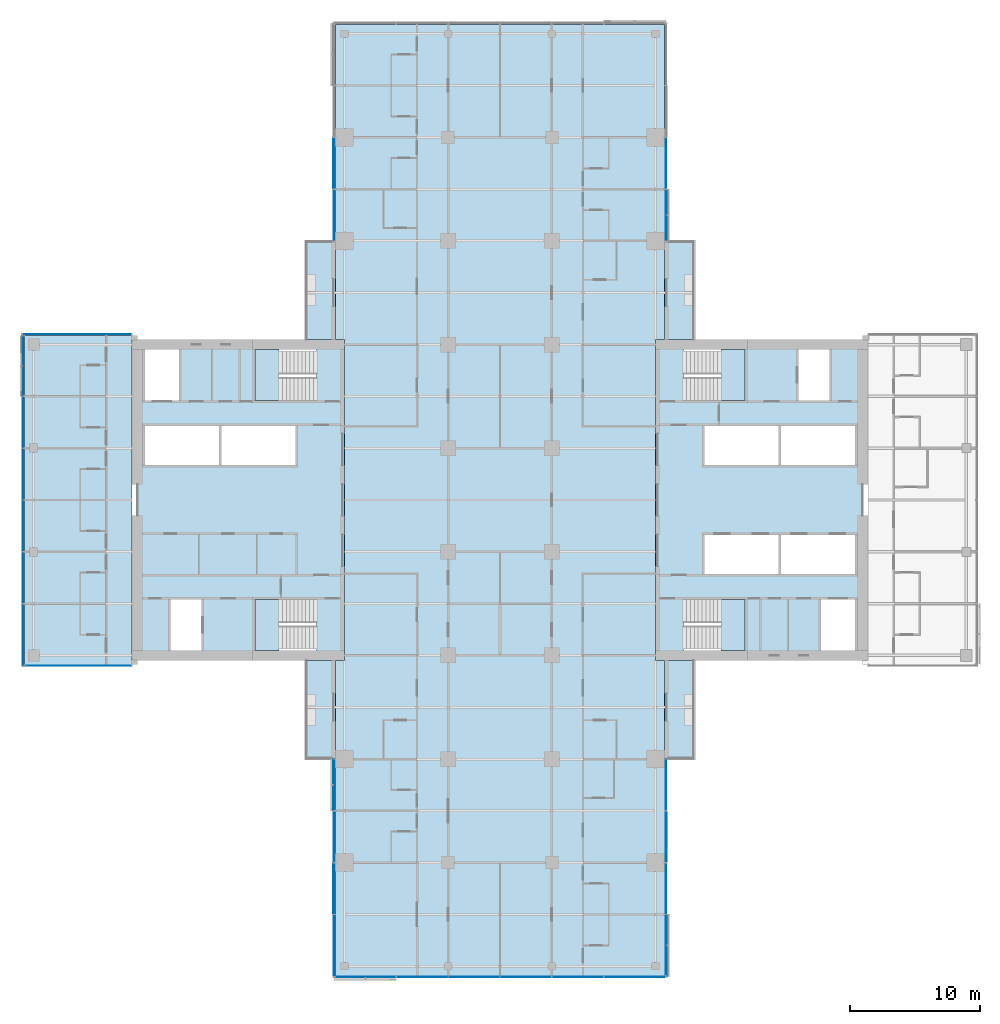
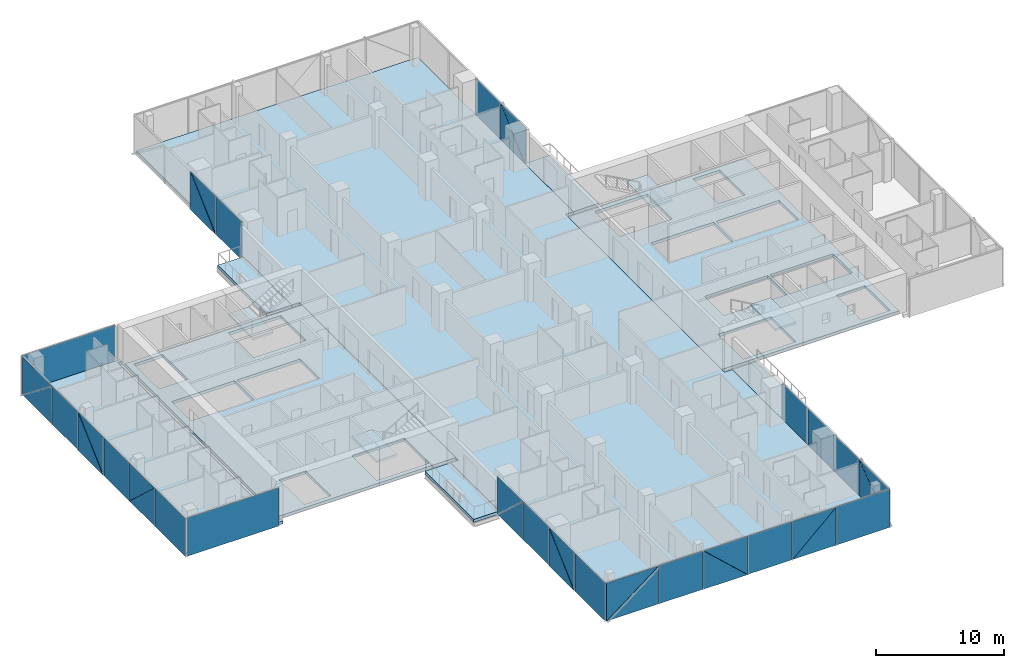
# One storey, part 13 of 27: 38 plates, 12 slabs, 12 elements without a shape of their own.
"""IFC4 building model written with IfcOpenShell, lengths in metres."""

from ifc_helpers import new_model, si_unit, direction, frame, origin, place, context, subcontext, project, spatial, polyline, outline, extrude, material, layer, layer_set, type_object, element, aggregate, save


model = new_model("IFC4")

# Units and contexts
model_context = context("Model", 3, precision=1e-05, world=origin(), true_north=direction((0.0, 1.0)))
body_context = subcontext(model_context, "Body", "Model", "MODEL_VIEW")
ifc_project = project(units=[si_unit("LENGTHUNIT", "METRE"), si_unit("AREAUNIT", "SQUARE_METRE"), si_unit("VOLUMEUNIT", "CUBIC_METRE"), si_unit("PLANEANGLEUNIT", "RADIAN"), si_unit("MASSUNIT", "GRAM", prefix="KILO")], contexts=[model_context])

# Site, building, storey
site_placement = place(None, origin())
site = spatial("IfcSite", under=ifc_project, at=site_placement, CompositionType="ELEMENT")
building_placement = place(site_placement, origin())
building = spatial("IfcBuilding", under=site, at=building_placement, Name="Crosswind Convention Tower", CompositionType="ELEMENT")
storey_placement = place(building_placement, frame((0.0, 0.0, 72.0)))
storey = spatial("IfcBuildingStorey", under=building, at=storey_placement, Name="L12", CompositionType="ELEMENT", Elevation=72.0)

# Slabs
ifc_material_1 = material(Name="Concrete C40/50", Category="concrete")
ifc_layer_1 = layer(ifc_material_1, 0.280029296875)
ifc_layer_set_1 = layer_set([ifc_layer_1], Name="Concrete C40/50")
slab_type_1 = type_object("IfcSlabType", Name="BALCONY SLAB 280", PredefinedType="USERDEFINED", material=ifc_layer_set_1)
slab_1_placement = place(storey_placement, frame((0.0, 0.0, -0.280029296875)))
element("IfcSlab", 1, at=slab_1_placement, inside=storey, type_object=slab_type_1, Name="BALCONY L12 N-E.1-1", ObjectType="BALCONY", PredefinedType="USERDEFINED", context=body_context, shape_type="SweptSolid", body=[
    extrude(outline(polyline([(137.699951171875, 112.39990234375), (137.699951171875, 120.0), (140.0, 120.0), (140.0, 112.39990234375), (137.699951171875, 112.39990234375)])), origin(), (0.0, 0.0, 1.0), 0.280029296875),
])
slab_2_placement = place(storey_placement, frame((0.0, 0.0, -0.280029296875)))
element("IfcSlab", 2, at=slab_2_placement, inside=storey, type_object=slab_type_1, Name="BALCONY L12 N-W.1-3", ObjectType="BALCONY", PredefinedType="USERDEFINED", context=body_context, shape_type="SweptSolid", body=[
    extrude(outline(polyline([(112.300048828125, 120.0), (112.300048828125, 112.39990234375), (110.0, 112.39990234375), (110.0, 120.0), (112.300048828125, 120.0)])), origin(), (0.0, 0.0, 1.0), 0.280029296875),
])
slab_3_placement = place(storey_placement, frame((0.0, 0.0, -0.280029296875)))
element("IfcSlab", 3, at=slab_3_placement, inside=storey, type_object=slab_type_1, Name="BALCONY L12 S-W.1-1", ObjectType="BALCONY", PredefinedType="USERDEFINED", context=body_context, shape_type="SweptSolid", body=[
    extrude(outline(polyline([(112.300048828125, 87.60009765625), (112.300048828125, 80.0), (110.0, 80.0), (110.0, 87.60009765625), (112.300048828125, 87.60009765625)])), origin(), (0.0, 0.0, 1.0), 0.280029296875),
])
slab_4_placement = place(storey_placement, frame((0.0, 0.0, -0.280029296875)))
element("IfcSlab", 4, at=slab_4_placement, inside=storey, type_object=slab_type_1, Name="BALCONY L12 S-E.1-3", ObjectType="BALCONY", PredefinedType="USERDEFINED", context=body_context, shape_type="SweptSolid", body=[
    extrude(outline(polyline([(137.699951171875, 80.0), (137.699951171875, 87.60009765625), (140.0, 87.60009765625), (140.0, 80.0), (137.699951171875, 80.0)])), origin(), (0.0, 0.0, 1.0), 0.280029296875),
])
ifc_layer_2 = layer(ifc_material_1, 0.280029296875)
ifc_layer_set_2 = layer_set([ifc_layer_2], Name="Concrete C40/50")
slab_type_2 = type_object("IfcSlabType", Name="Composite floor slab 280", PredefinedType="FLOOR", material=ifc_layer_set_2)
slab_5_placement = place(storey_placement, frame((0.0, 0.0, -0.280029296875)))
element("IfcSlab", 5, at=slab_5_placement, inside=storey, type_object=slab_type_2, Name="Floor slab L12 part 1", PredefinedType="FLOOR", context=body_context, shape_type="SweptSolid", body=[
    extrude(outline(polyline([(97.0, 87.300048828125), (89.0, 87.300048828125), (88.300048828125, 87.300048828125), (88.300048828125, 88.0), (88.300048828125, 112.0), (88.300048828125, 112.699951171875), (89.0, 112.699951171875), (97.0, 112.699951171875), (97.0, 112.39990234375), (96.60009765625, 112.39990234375), (96.60009765625, 87.60009765625), (97.0, 87.60009765625), (97.0, 87.300048828125)])), origin(), (0.0, 0.0, 1.0), 0.280029296875),
])
slab_6_placement = place(storey_placement, frame((0.0, 0.0, -0.280029296875)))
element("IfcSlab", 6, at=slab_6_placement, inside=storey, type_object=slab_type_2, Name="Floor slab L12 part 2", PredefinedType="FLOOR", context=body_context, shape_type="SweptSolid", body=[
    extrude(outline(polyline([(112.300048828125, 87.60009765625), (113.0, 87.60009765625), (113.0, 112.39990234375), (112.300048828125, 112.39990234375), (112.300048828125, 136.0), (112.300048828125, 136.699951171875), (113.0, 136.699951171875), (137.0, 136.699951171875), (137.699951171875, 136.699951171875), (137.699951171875, 136.0), (137.699951171875, 112.39990234375), (137.0, 112.39990234375), (137.0, 87.60009765625), (137.699951171875, 87.60009765625), (137.699951171875, 64.0), (137.699951171875, 63.300048828125), (137.0, 63.300048828125), (113.0, 63.300048828125), (112.300048828125, 63.300048828125), (112.300048828125, 64.0), (112.300048828125, 87.60009765625)])), origin(), (0.0, 0.0, 1.0), 0.280029296875),
])
ifc_layer_3 = layer(ifc_material_1, 0.280029296875)
ifc_layer_set_3 = layer_set([ifc_layer_3], Name="Concrete C40/50")
slab_type_3 = type_object("IfcSlabType", Name="Concrete core floor slab 280", PredefinedType="FLOOR", material=ifc_layer_set_3)
slab_7_placement = place(storey_placement, frame((0.0, 0.0, -0.280029296875)))
element("IfcSlab", 7, at=slab_7_placement, inside=storey, type_object=slab_type_3, Name="Core floor slab E L12", PredefinedType="FLOOR", context=body_context, shape_type="SweptSolid", body=[
    extrude(outline(polyline([(137.0, 88.0), (153.0, 88.0), (153.0, 112.0), (137.0, 112.0), (137.0, 88.0)]), holes=[polyline([(146.5, 102.699951171875), (146.5, 105.699951171875), (140.800048828125, 105.699951171875), (140.800048828125, 102.699951171875), (146.5, 102.699951171875)]), polyline([(152.39990234375, 102.699951171875), (152.39990234375, 105.699951171875), (146.699951171875, 105.699951171875), (146.699951171875, 102.699951171875), (152.39990234375, 102.699951171875)]), polyline([(146.5, 94.300048828125), (146.5, 97.300048828125), (140.800048828125, 97.300048828125), (140.800048828125, 94.300048828125), (146.5, 94.300048828125)]), polyline([(152.39990234375, 94.300048828125), (152.39990234375, 97.300048828125), (146.699951171875, 97.300048828125), (146.699951171875, 94.300048828125), (152.39990234375, 94.300048828125)]), polyline([(150.449951171875, 107.699951171875), (150.449951171875, 111.60009765625), (148.050048828125, 111.60009765625), (148.050048828125, 107.699951171875), (150.449951171875, 107.699951171875)]), polyline([(152.39990234375, 88.39990234375), (152.39990234375, 92.300048828125), (149.800048828125, 92.300048828125), (149.800048828125, 88.39990234375), (152.39990234375, 88.39990234375)]), polyline([(143.89990234375, 107.699951171875), (143.89990234375, 111.60009765625), (139.14990234375, 111.60009765625), (139.14990234375, 107.699951171875), (143.89990234375, 107.699951171875)]), polyline([(143.89990234375, 88.39990234375), (143.89990234375, 92.300048828125), (139.14990234375, 92.300048828125), (139.14990234375, 88.39990234375), (143.89990234375, 88.39990234375)])]), origin(), (0.0, 0.0, 1.0), 0.280029296875),
])
slab_8_placement = place(storey_placement, frame((0.0, 0.0, -0.280029296875)))
element("IfcSlab", 8, at=slab_8_placement, inside=storey, type_object=slab_type_3, Name="Core floor slab W L12", PredefinedType="FLOOR", context=body_context, shape_type="SweptSolid", body=[
    extrude(outline(polyline([(97.0, 88.0), (113.0, 88.0), (113.0, 112.0), (97.0, 112.0), (97.0, 88.0)]), holes=[polyline([(109.199951171875, 102.699951171875), (109.199951171875, 105.699951171875), (103.5, 105.699951171875), (103.5, 102.699951171875), (109.199951171875, 102.699951171875)]), polyline([(103.300048828125, 102.699951171875), (103.300048828125, 105.699951171875), (97.60009765625, 105.699951171875), (97.60009765625, 102.699951171875), (103.300048828125, 102.699951171875)]), polyline([(101.949951171875, 88.39990234375), (101.949951171875, 92.300048828125), (99.550048828125, 92.300048828125), (99.550048828125, 88.39990234375), (101.949951171875, 88.39990234375)]), polyline([(100.199951171875, 107.699951171875), (100.199951171875, 111.60009765625), (97.60009765625, 111.60009765625), (97.60009765625, 107.699951171875), (100.199951171875, 107.699951171875)]), polyline([(110.85009765625, 88.39990234375), (110.85009765625, 92.300048828125), (106.10009765625, 92.300048828125), (106.10009765625, 88.39990234375), (110.85009765625, 88.39990234375)]), polyline([(110.85009765625, 107.699951171875), (110.85009765625, 111.60009765625), (106.10009765625, 111.60009765625), (106.10009765625, 107.699951171875), (110.85009765625, 107.699951171875)])]), origin(), (0.0, 0.0, 1.0), 0.280029296875),
])

# Stair, slab
stair_type = type_object("IfcStairType", Name="Exit stair 1800 wide, 2 flights of 11 risers", PredefinedType="HALF_TURN_STAIR", material=ifc_material_1)
stair_1_placement = place(storey_placement, origin())
stair_1 = element("IfcStair", 9, at=stair_1_placement, inside=storey, type_object=stair_type, Name="Exit stair ST1 L12", ObjectType="ST5", PredefinedType="HALF_TURN_STAIR")
ifc_layer_4 = layer(ifc_material_1, 0.199951171875)
ifc_layer_set_4 = layer_set([ifc_layer_4], Name="Concrete C40/50")
slab_type_4 = type_object("IfcSlabType", Name="Stair landing 200", PredefinedType="LANDING", material=ifc_layer_set_4)
slab_9_placement = place(storey_placement, frame((0.0, 0.0, 1.64990234375)))
slab_9 = element("IfcSlab", 10, at=slab_9_placement, type_object=slab_type_4, Name="ST1 landing 1", PredefinedType="LANDING", context=body_context, shape_type="SweptSolid", body=[
    extrude(outline(polyline([(143.89990234375, 107.699951171875), (143.89990234375, 111.60009765625), (142.050048828125, 111.60009765625), (142.050048828125, 107.699951171875), (143.89990234375, 107.699951171875)])), origin(), (0.0, 0.0, 1.0), 0.2001953125),
])
aggregate(stair_1, [slab_9])

stair_2_placement = place(storey_placement, origin())
stair_2 = element("IfcStair", 11, at=stair_2_placement, inside=storey, type_object=stair_type, Name="Exit stair ST2 L12", ObjectType="ST5", PredefinedType="HALF_TURN_STAIR")
slab_10_placement = place(storey_placement, frame((0.0, 0.0, 1.64990234375)))
slab_10 = element("IfcSlab", 12, at=slab_10_placement, type_object=slab_type_4, Name="ST2 landing 1", PredefinedType="LANDING", context=body_context, shape_type="SweptSolid", body=[
    extrude(outline(polyline([(143.89990234375, 88.39990234375), (143.89990234375, 92.300048828125), (142.050048828125, 92.300048828125), (142.050048828125, 88.39990234375), (143.89990234375, 88.39990234375)])), origin(), (0.0, 0.0, 1.0), 0.2001953125),
])
aggregate(stair_2, [slab_10])

stair_3_placement = place(storey_placement, origin())
stair_3 = element("IfcStair", 13, at=stair_3_placement, inside=storey, type_object=stair_type, Name="Exit stair ST3 L12", ObjectType="ST5", PredefinedType="HALF_TURN_STAIR")
slab_11_placement = place(storey_placement, frame((0.0, 0.0, 1.64990234375)))
slab_11 = element("IfcSlab", 14, at=slab_11_placement, type_object=slab_type_4, Name="ST3 landing 1", PredefinedType="LANDING", context=body_context, shape_type="SweptSolid", body=[
    extrude(outline(polyline([(107.949951171875, 88.39990234375), (107.949951171875, 92.300048828125), (106.10009765625, 92.300048828125), (106.10009765625, 88.39990234375), (107.949951171875, 88.39990234375)])), origin(), (0.0, 0.0, 1.0), 0.2001953125),
])
aggregate(stair_3, [slab_11])

stair_4_placement = place(storey_placement, origin())
stair_4 = element("IfcStair", 15, at=stair_4_placement, inside=storey, type_object=stair_type, Name="Exit stair ST4 L12", ObjectType="ST5", PredefinedType="HALF_TURN_STAIR")
slab_12_placement = place(storey_placement, frame((0.0, 0.0, 1.64990234375)))
slab_12 = element("IfcSlab", 16, at=slab_12_placement, type_object=slab_type_4, Name="ST4 landing 1", PredefinedType="LANDING", context=body_context, shape_type="SweptSolid", body=[
    extrude(outline(polyline([(107.949951171875, 107.699951171875), (107.949951171875, 111.60009765625), (106.10009765625, 111.60009765625), (106.10009765625, 107.699951171875), (107.949951171875, 107.699951171875)])), origin(), (0.0, 0.0, 1.0), 0.2001953125),
])
aggregate(stair_4, [slab_12])

# Curtain wall, plate
ifc_material_2 = material(Name="Aluminium unitised curtain wall", Category="aluminium")
curtain_wall_type_1 = type_object("IfcCurtainWallType", Name="CORE END SLOT WALL 160", PredefinedType="USERDEFINED", material=ifc_material_2)
curtain_wall_1_placement = place(storey_placement, origin())
curtain_wall_1 = element("IfcCurtainWall", 17, at=curtain_wall_1_placement, inside=storey, type_object=curtain_wall_type_1, Name="CW6 L12 W-N.2-1 slot", ObjectType="UNITISED", PredefinedType="USERDEFINED")
ifc_material_3 = material(Name="Laminated insulating glass unit", Category="glass")
ifc_layer_5 = layer(ifc_material_3, 0.02587890625)
ifc_layer_set_5 = layer_set([ifc_layer_5], Name="TRIANGULAR GLASS PANEL 26")
plate_type_1 = type_object("IfcPlateType", Name="TRIANGULAR GLASS PANEL 26", PredefinedType="CURTAIN_PANEL", material=ifc_layer_set_5)
plate_1_placement = place(storey_placement, frame((96.550048828125, 112.806640625, -0.280029296875), z_axis=(0.0, 0.999999919475, 0.000401310917), x_axis=(-1.0, 0.0, 0.0)))
plate_1 = element("IfcPlate", 18, at=plate_1_placement, type_object=plate_type_1, Name="CW6 panel 1.1", PredefinedType="CURTAIN_PANEL", context=body_context, shape_type="SweptSolid", body=[
    extrude(outline(polyline([(0.0, 0.0), (8.400146484375, 0.0), (8.400146484375, 3.6501467783039057), (0.0, 3.6501467783039057), (0.0, 0.0)])), origin(), (0.0, 0.0, -1.0), 0.02587890625),
])
aggregate(curtain_wall_1, [plate_1])

curtain_wall_2_placement = place(storey_placement, origin())
curtain_wall_2 = element("IfcCurtainWall", 19, at=curtain_wall_2_placement, inside=storey, type_object=curtain_wall_type_1, Name="CW6 L12 W-S.1-1 slot", ObjectType="UNITISED", PredefinedType="USERDEFINED")
plate_2_placement = place(storey_placement, frame((88.35009765625, 87.193359375, -0.280029296875), z_axis=(0.0, -0.999999919475, 0.000401310917), x_axis=(1.0, 0.0, 0.0)))
plate_2 = element("IfcPlate", 20, at=plate_2_placement, type_object=plate_type_1, Name="CW6 panel 1.1", PredefinedType="CURTAIN_PANEL", context=body_context, shape_type="SweptSolid", body=[
    extrude(outline(polyline([(0.0, 0.0), (8.199951171875, 0.0), (8.199951171875, 3.650146778303906), (0.0, 3.650146778303906), (0.0, 0.0)])), origin(), (0.0, 0.0, -1.0), 0.02587890625),
])
aggregate(curtain_wall_2, [plate_2])

# Curtain wall, plates
curtain_wall_type_2 = type_object("IfcCurtainWallType", Name="HOTEL UNITISED WALL 200", PredefinedType="USERDEFINED", material=ifc_material_2)
curtain_wall_3_placement = place(storey_placement, origin())
curtain_wall_3 = element("IfcCurtainWall", 21, at=curtain_wall_3_placement, inside=storey, type_object=curtain_wall_type_2, Name="CW2 L12 N-E 1", ObjectType="UNITISED", PredefinedType="USERDEFINED")
ifc_layer_6 = layer(ifc_material_3, 0.028076171875)
ifc_layer_set_6 = layer_set([ifc_layer_6], Name="TRIANGULAR GLASS PANEL 28")
plate_type_2 = type_object("IfcPlateType", Name="TRIANGULAR GLASS PANEL 28", PredefinedType="CURTAIN_PANEL", material=ifc_layer_set_6)
plate_3_placement = place(storey_placement, frame((137.82861328125, 123.967529296875, -0.280029296875), z_axis=(0.999999943186, 0.0, 0.000337086208), x_axis=(-0.000337086208, 0.0, 0.999999943186)))
plate_3 = element("IfcPlate", 22, at=plate_3_placement, type_object=plate_type_2, Name="CW2 panel 1.1", PredefinedType="CURTAIN_PANEL", context=body_context, shape_type="SweptSolid", body=[
    extrude(outline(polyline([(0.0, 0.0), (3.6213380963660997, 0.0), (0.0, 3.920410156250001), (0.0, 0.0)])), origin(), (0.0, 0.0, -1.0), 0.028076171875),
])
plate_4_placement = place(storey_placement, frame((137.857177734375, 120.032470703125, 3.35498046875), z_axis=(0.999999918188, 0.0, 0.000404503439), x_axis=(0.000404503439, 0.0, -0.999999918188)))
plate_4 = element("IfcPlate", 23, at=plate_4_placement, type_object=plate_type_2, Name="CW2 panel 1.2", PredefinedType="CURTAIN_PANEL", context=body_context, shape_type="SweptSolid", body=[
    extrude(outline(polyline([(0.0, 0.0), (3.6213381868921797, 0.0), (0.0, 3.92041015625), (0.0, 0.0)])), origin(), (0.0, 0.0, -1.0), 0.028076171875),
])
plate_5_placement = place(storey_placement, frame((137.82861328125, 124.032470703125, -0.280029296875), z_axis=(0.999999943613, 0.0, 0.00033581837), x_axis=(0.0, 1.0, 0.0)))
plate_5 = element("IfcPlate", 24, at=plate_5_placement, type_object=plate_type_2, Name="CW2 panel 2.1", PredefinedType="CURTAIN_PANEL", context=body_context, shape_type="SweptSolid", body=[
    extrude(outline(polyline([(0.0, 0.0), (3.93505859375, 0.0), (3.93505859375, 3.635009970592273), (0.0, 3.635009970592273), (0.0, 0.0)])), origin(), (0.0, 0.0, -1.0), 0.028076171875),
])
aggregate(curtain_wall_3, [plate_3, plate_4, plate_5])

curtain_wall_4_placement = place(storey_placement, origin())
curtain_wall_4 = element("IfcCurtainWall", 25, at=curtain_wall_4_placement, inside=storey, type_object=curtain_wall_type_2, Name="CW2 L12 N-W 1", ObjectType="UNITISED", PredefinedType="USERDEFINED")
plate_6_placement = place(storey_placement, frame((112.172607421875, 124.032470703125, 3.35498046875), z_axis=(-0.999999943186, 0.0, 0.000337086208), x_axis=(0.0, 1.0, 0.0)))
plate_6 = element("IfcPlate", 26, at=plate_6_placement, type_object=plate_type_2, Name="CW2 panel 3.1", PredefinedType="CURTAIN_PANEL", context=body_context, shape_type="SweptSolid", body=[
    extrude(outline(polyline([(0.0, 0.0), (3.92041015625, 0.0), (0.0, 3.6213380963660997), (0.0, 0.0)])), origin(), (0.0, 0.0, -1.0), 0.028076171875),
])
plate_7_placement = place(storey_placement, frame((112.141357421875, 127.967529296875, -0.280029296875), z_axis=(-0.999999918188, 0.0, 0.000404503439), x_axis=(0.0, -1.0, 0.0)))
plate_7 = element("IfcPlate", 27, at=plate_7_placement, type_object=plate_type_2, Name="CW2 panel 3.2", PredefinedType="CURTAIN_PANEL", context=body_context, shape_type="SweptSolid", body=[
    extrude(outline(polyline([(0.0, 0.0), (3.92041015625, 0.0), (0.0, 3.6213381868921792), (0.0, 0.0)])), origin(), (0.0, 0.0, -1.0), 0.028076171875),
])
plate_8_placement = place(storey_placement, frame((112.17138671875, 123.967529296875, -0.280029296875), z_axis=(-0.999999943613, 0.0, 0.00033581837), x_axis=(0.0, -1.0, 0.0)))
plate_8 = element("IfcPlate", 28, at=plate_8_placement, type_object=plate_type_2, Name="CW2 panel 4.1", PredefinedType="CURTAIN_PANEL", context=body_context, shape_type="SweptSolid", body=[
    extrude(outline(polyline([(0.0, 0.0), (3.93505859375, 0.0), (3.93505859375, 3.635009970592273), (0.0, 3.635009970592273), (0.0, 0.0)])), origin(), (0.0, 0.0, -1.0), 0.028076171875),
])
aggregate(curtain_wall_4, [plate_6, plate_7, plate_8])

curtain_wall_5_placement = place(storey_placement, origin())
curtain_wall_5 = element("IfcCurtainWall", 29, at=curtain_wall_5_placement, inside=storey, type_object=curtain_wall_type_2, Name="CW2 L12 W-TIP 1", ObjectType="UNITISED", PredefinedType="USERDEFINED")
plate_9_placement = place(storey_placement, frame((88.17138671875, 108.032470703125, -0.280029296875), z_axis=(-0.999999943217, 0.0, 0.00033699533), x_axis=(0.00033699533, 0.0, 0.999999943217)))
plate_9 = element("IfcPlate", 30, at=plate_9_placement, type_object=plate_type_2, Name="CW2 panel 1.1", PredefinedType="CURTAIN_PANEL", context=body_context, shape_type="SweptSolid", body=[
    extrude(outline(polyline([(0.0, 0.0), (3.6223146588106325, 0.0), (0.0, 4.58642578125), (0.0, 0.0)])), origin(), (0.0, 0.0, -1.0), 0.028076171875),
])
plate_10_placement = place(storey_placement, frame((88.142822265625, 112.635009765625, 3.35498046875), z_axis=(-0.999999918233, 0.0, 0.000404394386), x_axis=(-0.000404394386, 0.0, -0.999999918233)))
plate_10 = element("IfcPlate", 31, at=plate_10_placement, type_object=plate_type_2, Name="CW2 panel 1.2", PredefinedType="CURTAIN_PANEL", context=body_context, shape_type="SweptSolid", body=[
    extrude(outline(polyline([(0.0, 0.0), (3.6223147493123067, 0.0), (0.0, 4.58642578125), (0.0, 0.0)])), origin(), (0.0, 0.0, -1.0), 0.028076171875),
])
plate_11_placement = place(storey_placement, frame((88.17138671875, 107.967529296875, -0.280029296875), z_axis=(-0.999999943613, 0.0, 0.00033581837), x_axis=(0.0, -1.0, 0.0)))
plate_11 = element("IfcPlate", 32, at=plate_11_placement, type_object=plate_type_2, Name="CW2 panel 2.1", PredefinedType="CURTAIN_PANEL", context=body_context, shape_type="SweptSolid", body=[
    extrude(outline(polyline([(0.0, 0.0), (3.93505859375, 0.0), (3.93505859375, 3.635009970592273), (0.0, 3.635009970592273), (0.0, 0.0)])), origin(), (0.0, 0.0, -1.0), 0.028076171875),
])
plate_12_placement = place(storey_placement, frame((88.172607421875, 100.032470703125, 3.35498046875), z_axis=(-0.999999943186, 0.0, 0.000337086208), x_axis=(0.0, 1.0, 0.0)))
plate_12 = element("IfcPlate", 33, at=plate_12_placement, type_object=plate_type_2, Name="CW2 panel 3.1", PredefinedType="CURTAIN_PANEL", context=body_context, shape_type="SweptSolid", body=[
    extrude(outline(polyline([(0.0, 0.0), (3.92041015625, 0.0), (0.0, 3.6213380963660997), (0.0, 0.0)])), origin(), (0.0, 0.0, -1.0), 0.028076171875),
])
plate_13_placement = place(storey_placement, frame((88.141357421875, 103.967529296875, -0.280029296875), z_axis=(-0.999999918188, 0.0, 0.000404503439), x_axis=(0.0, -1.0, 0.0)))
plate_13 = element("IfcPlate", 34, at=plate_13_placement, type_object=plate_type_2, Name="CW2 panel 3.2", PredefinedType="CURTAIN_PANEL", context=body_context, shape_type="SweptSolid", body=[
    extrude(outline(polyline([(0.0, 0.0), (3.92041015625, 0.0), (0.0, 3.6213381868921792), (0.0, 0.0)])), origin(), (0.0, 0.0, -1.0), 0.028076171875),
])
plate_14_placement = place(storey_placement, frame((88.17138671875, 99.967529296875, -0.280029296875), z_axis=(-0.999999943613, 0.0, 0.00033581837), x_axis=(0.0, -1.0, 0.0)))
plate_14 = element("IfcPlate", 35, at=plate_14_placement, type_object=plate_type_2, Name="CW2 panel 4.1", PredefinedType="CURTAIN_PANEL", context=body_context, shape_type="SweptSolid", body=[
    extrude(outline(polyline([(0.0, 0.0), (3.93505859375, 0.0), (3.93505859375, 3.635009970592273), (0.0, 3.635009970592273), (0.0, 0.0)])), origin(), (0.0, 0.0, -1.0), 0.028076171875),
])
plate_15_placement = place(storey_placement, frame((88.17138671875, 92.032470703125, -0.280029296875), z_axis=(-0.999999943186, 0.0, 0.000337086208), x_axis=(0.000337086208, 0.0, 0.999999943186)))
plate_15 = element("IfcPlate", 36, at=plate_15_placement, type_object=plate_type_2, Name="CW2 panel 5.1", PredefinedType="CURTAIN_PANEL", context=body_context, shape_type="SweptSolid", body=[
    extrude(outline(polyline([(0.0, 0.0), (3.6213380963660997, 0.0), (0.0, 3.920410156250001), (0.0, 0.0)])), origin(), (0.0, 0.0, -1.0), 0.028076171875),
])
plate_16_placement = place(storey_placement, frame((88.142822265625, 95.967529296875, 3.35498046875), z_axis=(-0.999999918188, 0.0, 0.000404503439), x_axis=(-0.000404503439, 0.0, -0.999999918188)))
plate_16 = element("IfcPlate", 37, at=plate_16_placement, type_object=plate_type_2, Name="CW2 panel 5.2", PredefinedType="CURTAIN_PANEL", context=body_context, shape_type="SweptSolid", body=[
    extrude(outline(polyline([(0.0, 0.0), (3.6213381868921797, 0.0), (0.0, 3.92041015625), (0.0, 0.0)])), origin(), (0.0, 0.0, -1.0), 0.028076171875),
])
plate_17_placement = place(storey_placement, frame((88.17138671875, 91.967529296875, -0.280029296875), z_axis=(-0.999999943613, 0.0, 0.00033581837), x_axis=(0.0, -1.0, 0.0)))
plate_17 = element("IfcPlate", 38, at=plate_17_placement, type_object=plate_type_2, Name="CW2 panel 6.1", PredefinedType="CURTAIN_PANEL", context=body_context, shape_type="SweptSolid", body=[
    extrude(outline(polyline([(0.0, 0.0), (4.762451171875, 0.0), (4.762451171875, 3.635009970592273), (0.0, 3.635009970592273), (0.0, 0.0)])), origin(), (0.0, 0.0, -1.0), 0.028076171875),
])
aggregate(curtain_wall_5, [plate_9, plate_10, plate_11, plate_12, plate_13, plate_14, plate_15, plate_16, plate_17])

curtain_wall_6_placement = place(storey_placement, origin())
curtain_wall_6 = element("IfcCurtainWall", 39, at=curtain_wall_6_placement, inside=storey, type_object=curtain_wall_type_2, Name="CW2 L12 S-W 1", ObjectType="UNITISED", PredefinedType="USERDEFINED")
plate_18_placement = place(storey_placement, frame((112.17138671875, 76.032470703125, -0.280029296875), z_axis=(-0.999999943186, 0.0, 0.000337086208), x_axis=(0.000337086208, 0.0, 0.999999943186)))
plate_18 = element("IfcPlate", 40, at=plate_18_placement, type_object=plate_type_2, Name="CW2 panel 1.1", PredefinedType="CURTAIN_PANEL", context=body_context, shape_type="SweptSolid", body=[
    extrude(outline(polyline([(0.0, 0.0), (3.6213380963660997, 0.0), (0.0, 3.920410156250001), (0.0, 0.0)])), origin(), (0.0, 0.0, -1.0), 0.028076171875),
])
plate_19_placement = place(storey_placement, frame((112.142822265625, 79.967529296875, 3.35498046875), z_axis=(-0.999999918188, 0.0, 0.000404503439), x_axis=(-0.000404503439, 0.0, -0.999999918188)))
plate_19 = element("IfcPlate", 41, at=plate_19_placement, type_object=plate_type_2, Name="CW2 panel 1.2", PredefinedType="CURTAIN_PANEL", context=body_context, shape_type="SweptSolid", body=[
    extrude(outline(polyline([(0.0, 0.0), (3.6213381868921797, 0.0), (0.0, 3.92041015625), (0.0, 0.0)])), origin(), (0.0, 0.0, -1.0), 0.028076171875),
])
plate_20_placement = place(storey_placement, frame((112.17138671875, 75.967529296875, -0.280029296875), z_axis=(-0.999999943613, 0.0, 0.00033581837), x_axis=(0.0, -1.0, 0.0)))
plate_20 = element("IfcPlate", 42, at=plate_20_placement, type_object=plate_type_2, Name="CW2 panel 2.1", PredefinedType="CURTAIN_PANEL", context=body_context, shape_type="SweptSolid", body=[
    extrude(outline(polyline([(0.0, 0.0), (3.93505859375, 0.0), (3.93505859375, 3.635009970592273), (0.0, 3.635009970592273), (0.0, 0.0)])), origin(), (0.0, 0.0, -1.0), 0.028076171875),
])
plate_21_placement = place(storey_placement, frame((112.172607421875, 68.032470703125, 3.35498046875), z_axis=(-0.999999943186, 0.0, 0.000337086208), x_axis=(0.0, 1.0, 0.0)))
plate_21 = element("IfcPlate", 43, at=plate_21_placement, type_object=plate_type_2, Name="CW2 panel 3.1", PredefinedType="CURTAIN_PANEL", context=body_context, shape_type="SweptSolid", body=[
    extrude(outline(polyline([(0.0, 0.0), (3.92041015625, 0.0), (0.0, 3.6213380963660997), (0.0, 0.0)])), origin(), (0.0, 0.0, -1.0), 0.028076171875),
])
plate_22_placement = place(storey_placement, frame((112.141357421875, 71.967529296875, -0.280029296875), z_axis=(-0.999999918188, 0.0, 0.000404503439), x_axis=(0.0, -1.0, 0.0)))
plate_22 = element("IfcPlate", 44, at=plate_22_placement, type_object=plate_type_2, Name="CW2 panel 3.2", PredefinedType="CURTAIN_PANEL", context=body_context, shape_type="SweptSolid", body=[
    extrude(outline(polyline([(0.0, 0.0), (3.92041015625, 0.0), (0.0, 3.6213381868921792), (0.0, 0.0)])), origin(), (0.0, 0.0, -1.0), 0.028076171875),
])
plate_23_placement = place(storey_placement, frame((112.17138671875, 67.967529296875, -0.280029296875), z_axis=(-0.999999943613, 0.0, 0.00033581837), x_axis=(0.0, -1.0, 0.0)))
plate_23 = element("IfcPlate", 45, at=plate_23_placement, type_object=plate_type_2, Name="CW2 panel 4.1", PredefinedType="CURTAIN_PANEL", context=body_context, shape_type="SweptSolid", body=[
    extrude(outline(polyline([(0.0, 0.0), (4.735107421875, 0.0), (4.735107421875, 3.6350099705922725), (0.0, 3.6350099705922725), (0.0, 0.0)])), origin(), (0.0, 0.0, -1.0), 0.028076171875),
])
aggregate(curtain_wall_6, [plate_18, plate_19, plate_20, plate_21, plate_22, plate_23])

curtain_wall_7_placement = place(storey_placement, origin())
curtain_wall_7 = element("IfcCurtainWall", 46, at=curtain_wall_7_placement, inside=storey, type_object=curtain_wall_type_2, Name="CW2 L12 S-TIP 1", ObjectType="UNITISED", PredefinedType="USERDEFINED")
plate_24_placement = place(storey_placement, frame((116.967529296875, 63.17138671875, -0.280029296875), z_axis=(0.0, -0.999999943217, 0.00033699533), x_axis=(0.0, 0.00033699533, 0.999999943217)))
plate_24 = element("IfcPlate", 47, at=plate_24_placement, type_object=plate_type_2, Name="CW2 panel 1.1", PredefinedType="CURTAIN_PANEL", context=body_context, shape_type="SweptSolid", body=[
    extrude(outline(polyline([(0.0, 0.0), (3.6223146588106325, 0.0), (0.0, 4.718505859374999), (0.0, 0.0)])), origin(), (0.0, 0.0, -1.0), 0.028076171875),
])
plate_25_placement = place(storey_placement, frame((112.232421875, 63.142822265625, 3.35498046875), z_axis=(0.0, -0.999999918233, 0.000404394386), x_axis=(0.0, -0.000404394386, -0.999999918233)))
plate_25 = element("IfcPlate", 48, at=plate_25_placement, type_object=plate_type_2, Name="CW2 panel 1.2", PredefinedType="CURTAIN_PANEL", context=body_context, shape_type="SweptSolid", body=[
    extrude(outline(polyline([(0.0, 0.0), (3.6223147493123067, 0.0), (0.0, 4.71875), (0.0, 0.0)])), origin(), (0.0, 0.0, -1.0), 0.028076171875),
])
plate_26_placement = place(storey_placement, frame((117.032470703125, 63.17138671875, -0.280029296875), z_axis=(0.0, -0.999999943613, 0.00033581837), x_axis=(1.0, 0.0, 0.0)))
plate_26 = element("IfcPlate", 49, at=plate_26_placement, type_object=plate_type_2, Name="CW2 panel 2.1", PredefinedType="CURTAIN_PANEL", context=body_context, shape_type="SweptSolid", body=[
    extrude(outline(polyline([(0.0, 0.0), (3.93505859375, 0.0), (3.93505859375, 3.635009970592273), (0.0, 3.635009970592273), (0.0, 0.0)])), origin(), (0.0, 0.0, -1.0), 0.028076171875),
])
plate_27_placement = place(storey_placement, frame((124.967529296875, 63.172607421875, 3.35498046875), z_axis=(0.0, -0.999999943186, 0.000337086208), x_axis=(-1.0, 0.0, 0.0)))
plate_27 = element("IfcPlate", 50, at=plate_27_placement, type_object=plate_type_2, Name="CW2 panel 3.1", PredefinedType="CURTAIN_PANEL", context=body_context, shape_type="SweptSolid", body=[
    extrude(outline(polyline([(0.0, 0.0), (3.92041015625, 0.0), (0.0, 3.6213380963660997), (0.0, 0.0)])), origin(), (0.0, 0.0, -1.0), 0.028076171875),
])
plate_28_placement = place(storey_placement, frame((121.032470703125, 63.141357421875, -0.280029296875), z_axis=(0.0, -0.999999918188, 0.000404503439), x_axis=(1.0, 0.0, 0.0)))
plate_28 = element("IfcPlate", 51, at=plate_28_placement, type_object=plate_type_2, Name="CW2 panel 3.2", PredefinedType="CURTAIN_PANEL", context=body_context, shape_type="SweptSolid", body=[
    extrude(outline(polyline([(0.0, 0.0), (3.92041015625, 0.0), (0.0, 3.6213381868921792), (0.0, 0.0)])), origin(), (0.0, 0.0, -1.0), 0.028076171875),
])
plate_29_placement = place(storey_placement, frame((125.032470703125, 63.17138671875, -0.280029296875), z_axis=(0.0, -0.999999943613, 0.00033581837), x_axis=(1.0, 0.0, 0.0)))
plate_29 = element("IfcPlate", 52, at=plate_29_placement, type_object=plate_type_2, Name="CW2 panel 4.1", PredefinedType="CURTAIN_PANEL", context=body_context, shape_type="SweptSolid", body=[
    extrude(outline(polyline([(0.0, 0.0), (3.93505859375, 0.0), (3.93505859375, 3.635009970592273), (0.0, 3.635009970592273), (0.0, 0.0)])), origin(), (0.0, 0.0, -1.0), 0.028076171875),
])
plate_30_placement = place(storey_placement, frame((132.967529296875, 63.17138671875, -0.280029296875), z_axis=(0.0, -0.999999943186, 0.000337086208), x_axis=(0.0, 0.000337086208, 0.999999943186)))
plate_30 = element("IfcPlate", 53, at=plate_30_placement, type_object=plate_type_2, Name="CW2 panel 5.1", PredefinedType="CURTAIN_PANEL", context=body_context, shape_type="SweptSolid", body=[
    extrude(outline(polyline([(0.0, 0.0), (3.6213380963660997, 0.0), (0.0, 3.920410156250001), (0.0, 0.0)])), origin(), (0.0, 0.0, -1.0), 0.028076171875),
])
plate_31_placement = place(storey_placement, frame((129.032470703125, 63.142822265625, 3.35498046875), z_axis=(0.0, -0.999999918188, 0.000404503439), x_axis=(0.0, -0.000404503439, -0.999999918188)))
plate_31 = element("IfcPlate", 54, at=plate_31_placement, type_object=plate_type_2, Name="CW2 panel 5.2", PredefinedType="CURTAIN_PANEL", context=body_context, shape_type="SweptSolid", body=[
    extrude(outline(polyline([(0.0, 0.0), (3.6213381868921797, 0.0), (0.0, 3.92041015625), (0.0, 0.0)])), origin(), (0.0, 0.0, -1.0), 0.028076171875),
])
plate_32_placement = place(storey_placement, frame((133.032470703125, 63.17138671875, -0.280029296875), z_axis=(0.0, -0.999999943613, 0.00033581837), x_axis=(1.0, 0.0, 0.0)))
plate_32 = element("IfcPlate", 55, at=plate_32_placement, type_object=plate_type_2, Name="CW2 panel 6.1", PredefinedType="CURTAIN_PANEL", context=body_context, shape_type="SweptSolid", body=[
    extrude(outline(polyline([(0.0, 0.0), (4.735107421875, 0.0), (4.735107421875, 3.6350099705922725), (0.0, 3.6350099705922725), (0.0, 0.0)])), origin(), (0.0, 0.0, -1.0), 0.028076171875),
])
aggregate(curtain_wall_7, [plate_24, plate_25, plate_26, plate_27, plate_28, plate_29, plate_30, plate_31, plate_32])

curtain_wall_8_placement = place(storey_placement, origin())
curtain_wall_8 = element("IfcCurtainWall", 56, at=curtain_wall_8_placement, inside=storey, type_object=curtain_wall_type_2, Name="CW2 L12 S-E 1", ObjectType="UNITISED", PredefinedType="USERDEFINED")
plate_33_placement = place(storey_placement, frame((137.82861328125, 67.967529296875, -0.280029296875), z_axis=(0.999999943217, 0.0, 0.00033699533), x_axis=(-0.00033699533, 0.0, 0.999999943217)))
plate_33 = element("IfcPlate", 57, at=plate_33_placement, type_object=plate_type_2, Name="CW2 panel 1.1", PredefinedType="CURTAIN_PANEL", context=body_context, shape_type="SweptSolid", body=[
    extrude(outline(polyline([(0.0, 0.0), (3.6223146588106325, 0.0), (0.0, 4.718505859374999), (0.0, 0.0)])), origin(), (0.0, 0.0, -1.0), 0.028076171875),
])
plate_34_placement = place(storey_placement, frame((137.857177734375, 63.232421875, 3.35498046875), z_axis=(0.999999918233, 0.0, 0.000404394386), x_axis=(0.000404394386, 0.0, -0.999999918233)))
plate_34 = element("IfcPlate", 58, at=plate_34_placement, type_object=plate_type_2, Name="CW2 panel 1.2", PredefinedType="CURTAIN_PANEL", context=body_context, shape_type="SweptSolid", body=[
    extrude(outline(polyline([(0.0, 0.0), (3.6223147493123067, 0.0), (0.0, 4.71875), (0.0, 0.0)])), origin(), (0.0, 0.0, -1.0), 0.028076171875),
])
plate_35_placement = place(storey_placement, frame((137.82861328125, 68.032470703125, -0.280029296875), z_axis=(0.999999943613, 0.0, 0.00033581837), x_axis=(0.0, 1.0, 0.0)))
plate_35 = element("IfcPlate", 59, at=plate_35_placement, type_object=plate_type_2, Name="CW2 panel 2.1", PredefinedType="CURTAIN_PANEL", context=body_context, shape_type="SweptSolid", body=[
    extrude(outline(polyline([(0.0, 0.0), (3.93505859375, 0.0), (3.93505859375, 3.635009970592273), (0.0, 3.635009970592273), (0.0, 0.0)])), origin(), (0.0, 0.0, -1.0), 0.028076171875),
])
plate_36_placement = place(storey_placement, frame((137.827392578125, 75.967529296875, 3.35498046875), z_axis=(0.999999943186, 0.0, 0.000337086208), x_axis=(0.0, -1.0, 0.0)))
plate_36 = element("IfcPlate", 60, at=plate_36_placement, type_object=plate_type_2, Name="CW2 panel 3.1", PredefinedType="CURTAIN_PANEL", context=body_context, shape_type="SweptSolid", body=[
    extrude(outline(polyline([(0.0, 0.0), (3.92041015625, 0.0), (0.0, 3.6213380963660997), (0.0, 0.0)])), origin(), (0.0, 0.0, -1.0), 0.028076171875),
])
plate_37_placement = place(storey_placement, frame((137.858642578125, 72.032470703125, -0.280029296875), z_axis=(0.999999918188, 0.0, 0.000404503439), x_axis=(0.0, 1.0, 0.0)))
plate_37 = element("IfcPlate", 61, at=plate_37_placement, type_object=plate_type_2, Name="CW2 panel 3.2", PredefinedType="CURTAIN_PANEL", context=body_context, shape_type="SweptSolid", body=[
    extrude(outline(polyline([(0.0, 0.0), (3.92041015625, 0.0), (0.0, 3.6213381868921792), (0.0, 0.0)])), origin(), (0.0, 0.0, -1.0), 0.028076171875),
])
plate_38_placement = place(storey_placement, frame((137.82861328125, 76.032470703125, -0.280029296875), z_axis=(0.999999943613, 0.0, 0.00033581837), x_axis=(0.0, 1.0, 0.0)))
plate_38 = element("IfcPlate", 62, at=plate_38_placement, type_object=plate_type_2, Name="CW2 panel 4.1", PredefinedType="CURTAIN_PANEL", context=body_context, shape_type="SweptSolid", body=[
    extrude(outline(polyline([(0.0, 0.0), (3.93505859375, 0.0), (3.93505859375, 3.635009970592273), (0.0, 3.635009970592273), (0.0, 0.0)])), origin(), (0.0, 0.0, -1.0), 0.028076171875),
])
aggregate(curtain_wall_8, [plate_33, plate_34, plate_35, plate_36, plate_37, plate_38])

save(model, "model.ifc")
